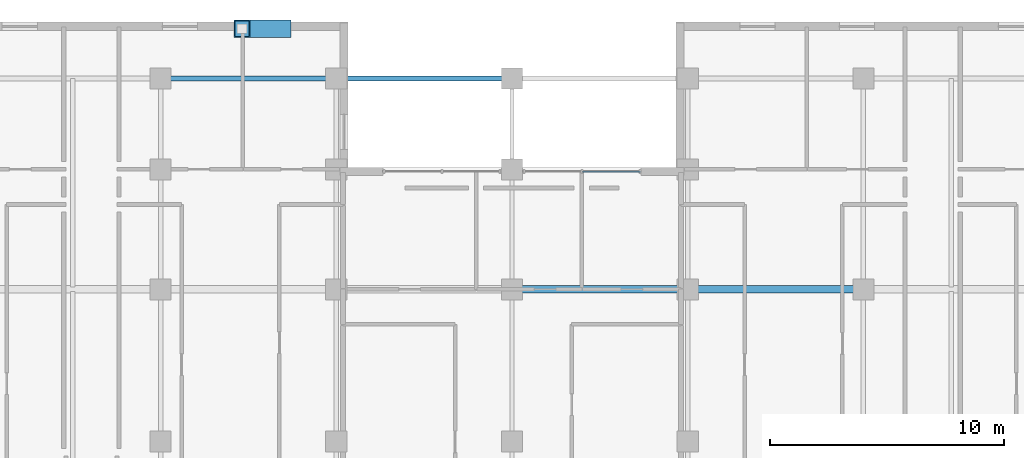
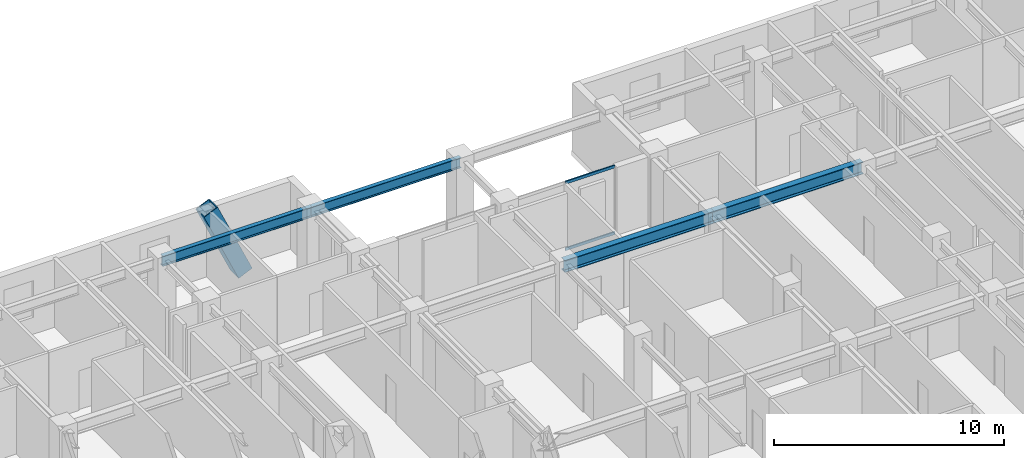
# One storey, part 4 of 14: 4 beams, 3 members, 1 element without a shape of its own.
"""IFC4 building model written with IfcOpenShell, lengths in metres."""

from ifc_helpers import new_model, si_unit, direction, frame, origin, origin_2d, place, context, subcontext, project, spatial, hollow_rectangle, i_section, extrude, material, material_profile, profile_set, type_object, element, aggregate, save


model = new_model("IFC4")

# Units and contexts
model_context = context("Model", 3, precision=1e-05, world=origin(), true_north=direction((0.0, 1.0)))
body_context = subcontext(model_context, "Body", "Model", "MODEL_VIEW")
ifc_project = project(units=[si_unit("LENGTHUNIT", "METRE"), si_unit("AREAUNIT", "SQUARE_METRE"), si_unit("VOLUMEUNIT", "CUBIC_METRE"), si_unit("PLANEANGLEUNIT", "RADIAN"), si_unit("MASSUNIT", "GRAM", prefix="KILO")], contexts=[model_context])

# Site, building, storey
site_placement = place(None, origin())
site = spatial("IfcSite", under=ifc_project, at=site_placement, CompositionType="ELEMENT")
building_placement = place(site_placement, origin())
building = spatial("IfcBuilding", under=site, at=building_placement, Name="Ventersveld Concourse Tower", CompositionType="ELEMENT")
storey_placement = place(building_placement, frame((0.0, 0.0, 81.050048828125)))
storey = spatial("IfcBuildingStorey", under=building, at=storey_placement, Name="L19", CompositionType="ELEMENT", Elevation=81.050048828125)

# Curtain wall, members
ifc_material_1 = material(Name="Anodised aluminium EN AW-6063-T6", Category="aluminium")
curtain_wall_type = type_object("IfcCurtainWallType", Name="CW-SG-4", PredefinedType="NOTDEFINED", material=ifc_material_1)
curtain_wall_placement = place(storey_placement, origin())
curtain_wall = element("IfcCurtainWall", 1, at=curtain_wall_placement, inside=storey, type_object=curtain_wall_type, Name="L19 L19 Sky Garden Recessed Curtain Wall", PredefinedType="NOTDEFINED")
ifc_material_profile_1 = material_profile(ifc_material_1, hollow_rectangle(XDim=0.06005859375, YDim=0.14990234375, WallThickness=0.00390625, at=origin_2d()), Name="ALU 150x60x4")
ifc_profile_set_1 = profile_set([ifc_material_profile_1], Name="Anodised aluminium EN AW-6063-T6")
member_type_1 = type_object("IfcMemberType", Name="CWT-150x60", PredefinedType="USERDEFINED", material=ifc_profile_set_1)
member_1_placement = place(storey_placement, frame((31.75, 40.02490234375, 0.030029296875), z_axis=(1.0, 0.0, 0.0), x_axis=(0.0, 1.0, 0.0)))
member_1 = element("IfcMember", 2, at=member_1_placement, type_object=member_type_1, Name="CW-L19-SG-S2 Transom 1-02", ObjectType="TRANSOM", PredefinedType="USERDEFINED", context=body_context, shape_type="SweptSolid", body=[
    extrude(hollow_rectangle(XDim=0.06005859375, YDim=0.14990234375, WallThickness=0.00390625, at=origin_2d()), origin(), (0.0, 0.0, 1.0), 2.47998046875),
])
member_2_placement = place(storey_placement, frame((31.75, 40.02490234375, 3.570068359375), z_axis=(1.0, 0.0, 0.0), x_axis=(0.0, 1.0, 0.0)))
member_2 = element("IfcMember", 3, at=member_2_placement, type_object=member_type_1, Name="CW-L19-SG-S2 Transom 2-02", ObjectType="TRANSOM", PredefinedType="USERDEFINED", context=body_context, shape_type="SweptSolid", body=[
    extrude(hollow_rectangle(XDim=0.06005859375, YDim=0.14990234375, WallThickness=0.00390625, at=origin_2d()), origin(), (0.0, 0.0, 1.0), 2.47998046875),
])
aggregate(curtain_wall, [member_1, member_2])

# Beams
ifc_material_2 = material(Name="Structural steel S355J2", Category="steel")
ifc_material_profile_2 = material_profile(ifc_material_2, i_section(OverallWidth=0.311279296875, OverallDepth=0.6357421875, WebThickness=0.018310546875, FlangeThickness=0.031494140625, FilletRadius=0.0166015625, at=origin_2d()), Name="UB 610x305x238")
ifc_profile_set_2 = profile_set([ifc_material_profile_2], Name="Structural steel S355J2")
beam_type_1 = type_object("IfcBeamType", Name="GRD-UB610H", PredefinedType="USERDEFINED", material=ifc_profile_set_2)
for number, where, z_axis, x_axis, name in (
    (4, (28.75, 35.0, 3.281982421875), (1.0, 0.0, 0.0), (0.0, 1.0, 0.0), "L19 E-W Grid Girder Y=35.00 #4"),
    (5, (36.25, 35.0, 3.281982421875), (1.0, 0.0, 0.0), (0.0, 1.0, 0.0), "L19 E-W Grid Girder Y=35.00 #5"),
):
    element("IfcBeam", number, at=place(storey_placement, frame(where, z_axis=z_axis, x_axis=x_axis)), inside=storey, type_object=beam_type_1, Name=name, ObjectType="GIRDER", PredefinedType="USERDEFINED", context=body_context, shape_type="SweptSolid", body=[
        extrude(i_section(OverallWidth=0.311279296875, OverallDepth=0.6357421875, WebThickness=0.018310546875, FlangeThickness=0.031494140625, FilletRadius=0.0166015625, at=origin_2d()), origin(), (0.0, 0.0, 1.0), 7.5),
    ])

# Member
ifc_material_3 = material(Name="Structural steel S355ML", Category="steel")
ifc_material_profile_3 = material_profile(ifc_material_3, hollow_rectangle(XDim=0.75, YDim=0.75, WallThickness=0.044921875, at=origin_2d()), Name="BOX 750x750x45")
ifc_profile_set_3 = profile_set([ifc_material_profile_3], Name="Structural steel S355ML")
member_type_2 = type_object("IfcMemberType", Name="MB-750x750", PredefinedType="BRACE", material=ifc_profile_set_3)
member_3_placement = place(storey_placement, frame((18.968505859375, 46.1201171875, -0.25), z_axis=(-0.411755490853, 0.0, 0.911294362844), x_axis=(0.0, -1.0, 0.0)))
element("IfcMember", 6, at=member_3_placement, inside=storey, type_object=member_type_2, Name="L19 Exterior Mega-Brace N (Module M04)", PredefinedType="BRACE", context=body_context, shape_type="SweptSolid", body=[
    extrude(hollow_rectangle(XDim=0.75, YDim=0.75, WallThickness=0.044921875, at=origin_2d()), origin(), (0.0, 0.0, 1.0), 4.224609375),
])

# Beams
ifc_material_profile_4 = material_profile(ifc_material_2, i_section(OverallWidth=0.2119140625, OverallDepth=0.54443359375, WebThickness=0.0126953125, FlangeThickness=0.021240234375, FilletRadius=0.0126953125, at=origin_2d()), Name="UB 533x210x122")
ifc_profile_set_4 = profile_set([ifc_material_profile_4], Name="Structural steel S355J2")
beam_type_2 = type_object("IfcBeamType", Name="SPD-UB533", PredefinedType="SPANDREL", material=ifc_profile_set_4)
for number, where, z_axis, x_axis, name in (
    (7, (13.75, 44.0, 3.32763671875), (1.0, 0.0, 0.0), (0.0, 1.0, 0.0), "L19 North Spandrel Girder Y=44.00 #2"),
    (8, (21.25, 44.0, 3.32763671875), (1.0, 0.0, 0.0), (0.0, 1.0, 0.0), "L19 North Spandrel Girder Y=44.00 #3"),
):
    element("IfcBeam", number, at=place(storey_placement, frame(where, z_axis=z_axis, x_axis=x_axis)), inside=storey, type_object=beam_type_2, Name=name, PredefinedType="SPANDREL", context=body_context, shape_type="SweptSolid", body=[
        extrude(i_section(OverallWidth=0.2119140625, OverallDepth=0.54443359375, WebThickness=0.0126953125, FlangeThickness=0.021240234375, FilletRadius=0.0126953125, at=origin_2d()), origin(), (0.0, 0.0, 1.0), 7.5),
    ])

save(model, "model.ifc")
